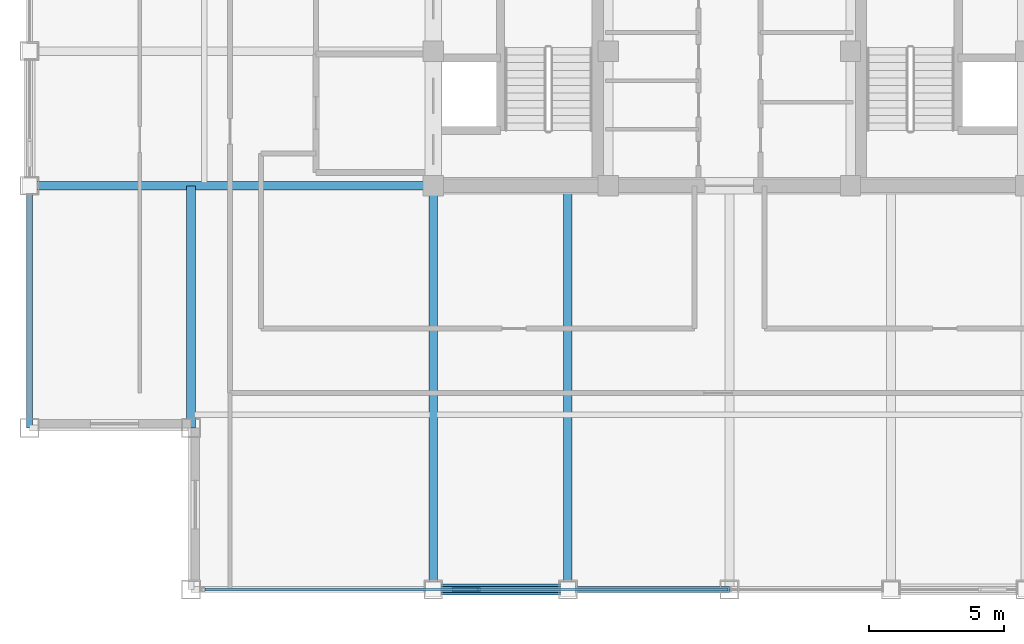
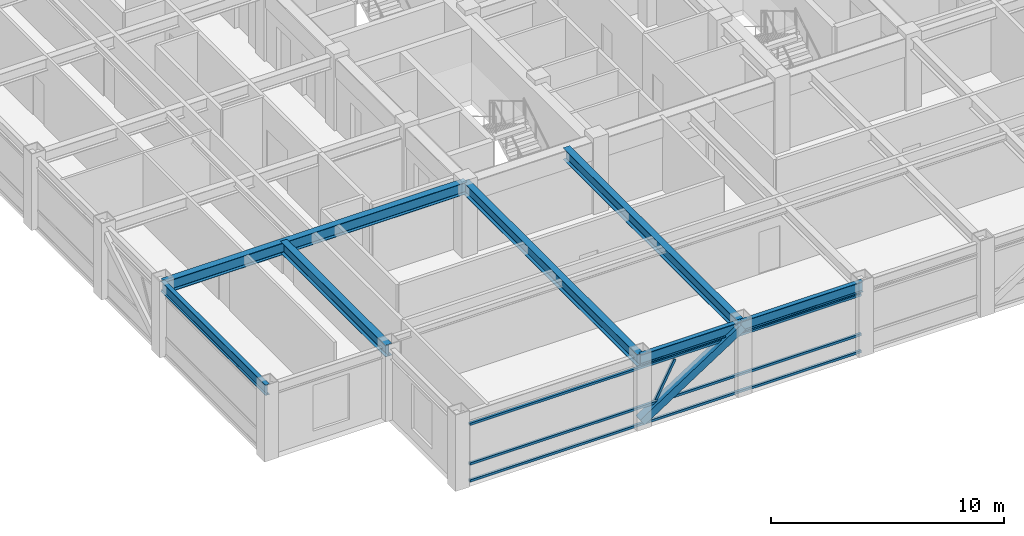
# One storey, part 3 of 29: 7 beams, 5 members, 1 element without a shape of its own.
"""IFC4 building model written with IfcOpenShell, lengths in metres."""

from ifc_helpers import new_model, si_unit, direction, frame, origin, origin_2d, place, context, subcontext, project, spatial, hollow_rectangle, i_section, extrude, source, transform, mapped, material, material_profile, profile_set, type_object, element, aggregate, save


model = new_model("IFC4")

# Units and contexts
model_context = context("Model", 3, precision=1e-05, world=origin(), true_north=direction((0.0, 1.0)))
body_context = subcontext(model_context, "Body", "Model", "MODEL_VIEW")
ifc_project = project(units=[si_unit("LENGTHUNIT", "METRE"), si_unit("AREAUNIT", "SQUARE_METRE"), si_unit("VOLUMEUNIT", "CUBIC_METRE"), si_unit("PLANEANGLEUNIT", "RADIAN"), si_unit("MASSUNIT", "GRAM", prefix="KILO")], contexts=[model_context])

# Site, building, storey
site_placement = place(None, origin())
site = spatial("IfcSite", under=ifc_project, at=site_placement, CompositionType="ELEMENT")
building_placement = place(site_placement, origin())
building = spatial("IfcBuilding", under=site, at=building_placement, Name="Khorayat Bourse Tower", CompositionType="ELEMENT")
storey_placement = place(building_placement, frame((0.0, 0.0, 362.300048828125)))
storey = spatial("IfcBuildingStorey", under=building, at=storey_placement, Name="L86", CompositionType="ELEMENT", Elevation=362.300048828125)

# Beams
ifc_material_1 = material(Name="Steel ASTM A992 Grade 50", Category="steel")
ifc_material_profile_1 = material_profile(ifc_material_1, i_section(OverallWidth=0.214111328125, OverallDepth=0.549072265625, WebThickness=0.0146484375, FlangeThickness=0.023681640625, FilletRadius=0.013916015625, at=origin_2d()), Name="W530X138")
ifc_profile_set_1 = profile_set([ifc_material_profile_1], Name="Steel ASTM A992 Grade 50")
beam_type_1 = type_object("IfcBeamType", Name="BM-SPAN-530", PredefinedType="SPANDREL", material=ifc_profile_set_1)
shared_shape_1 = source(origin(), body_context, "Body", "SweptSolid", [
    extrude(i_section(OverallWidth=0.214111328125, OverallDepth=0.549072265625, WebThickness=0.0146484375, FlangeThickness=0.023681640625, FilletRadius=0.013916015625, at=origin_2d()), origin(), (0.0, 0.0, 1.0), 9.0),
])
beam_1_placement = place(storey_placement, frame((-26.0, -20.0, 3.46533203125), z_axis=(0.0, 1.0, 0.0), x_axis=(-1.0, 0.0, 0.0)))
element("IfcBeam", 1, at=beam_1_placement, inside=storey, type_object=beam_type_1, Name="L86 BM-SPAN-530 BM-L86-SPN-053", PredefinedType="SPANDREL", context=body_context, shape_type="MappedRepresentation", body=[
    mapped(shared_shape_1, transform((0.0, 0.0, 0.0), scale=1.0)),
])
shared_shape_2 = source(origin(), body_context, "Body", "SweptSolid", [
    extrude(i_section(OverallWidth=0.214111328125, OverallDepth=0.549072265625, WebThickness=0.0146484375, FlangeThickness=0.023681640625, FilletRadius=0.013916015625, at=origin_2d()), origin(), (0.0, 0.0, 1.0), 5.0),
])
beam_2_placement = place(storey_placement, frame((-11.0, -26.0, 3.46533203125), z_axis=(1.0, 0.0, 0.0), x_axis=(0.0, 1.0, 0.0)))
element("IfcBeam", 2, at=beam_2_placement, inside=storey, type_object=beam_type_1, Name="L86 BM-SPAN-530 BM-L86-SPN-025", PredefinedType="SPANDREL", context=body_context, shape_type="MappedRepresentation", body=[
    mapped(shared_shape_2, transform((0.0, 0.0, 0.0), scale=1.0)),
])
shared_shape_3 = source(origin(), body_context, "Body", "SweptSolid", [
    extrude(i_section(OverallWidth=0.214111328125, OverallDepth=0.549072265625, WebThickness=0.0146484375, FlangeThickness=0.023681640625, FilletRadius=0.013916015625, at=origin_2d()), origin(), (0.0, 0.0, 1.0), 6.0),
])
beam_3_placement = place(storey_placement, frame((-6.0, -26.0, 3.46533203125), z_axis=(1.0, 0.0, 0.0), x_axis=(0.0, 1.0, 0.0)))
element("IfcBeam", 3, at=beam_3_placement, inside=storey, type_object=beam_type_1, Name="L86 BM-SPAN-530 BM-L86-SPN-026", PredefinedType="SPANDREL", context=body_context, shape_type="MappedRepresentation", body=[
    mapped(shared_shape_3, transform((0.0, 0.0, 0.0), scale=1.0)),
])
ifc_material_profile_2 = material_profile(ifc_material_1, i_section(OverallWidth=0.324951171875, OverallDepth=0.615966796875, WebThickness=0.013916015625, FlangeThickness=0.021484375, FilletRadius=0.01611328125, at=origin_2d()), Name="W610X174")
ifc_profile_set_2 = profile_set([ifc_material_profile_2], Name="Steel ASTM A992 Grade 50")
beam_type_2 = type_object("IfcBeamType", Name="BM-GIRD-610", PredefinedType="BEAM", material=ifc_profile_set_2)
shared_shape_4 = source(origin(), body_context, "Body", "SweptSolid", [
    extrude(i_section(OverallWidth=0.324951171875, OverallDepth=0.615966796875, WebThickness=0.013916015625, FlangeThickness=0.021484375, FilletRadius=0.01611328125, at=origin_2d()), origin(), (0.0, 0.0, 1.0), 15.0),
])
for number, where, z_axis, x_axis, name in (
    (4, (-11.0, -26.0, 3.431884765625), (0.0, 1.0, 0.0), (-1.0, 0.0, 0.0), "L86 BM-GIRD-610 BM-L86-RADY-057"),
    (5, (-6.0, -26.0, 3.431884765625), (0.0, 1.0, 0.0), (-1.0, 0.0, 0.0), "L86 BM-GIRD-610 BM-L86-RADY-059"),
    (6, (-26.0, -11.0, 3.431884765625), (1.0, 0.0, 0.0), (0.0, 1.0, 0.0), "L86 BM-GIRD-610 BM-L86-RADX-067"),
):
    element("IfcBeam", number, at=place(storey_placement, frame(where, z_axis=z_axis, x_axis=x_axis)), inside=storey, type_object=beam_type_2, Name=name, PredefinedType="BEAM", context=body_context, shape_type="MappedRepresentation", body=[
        mapped(shared_shape_4, transform((0.0, 0.0, 0.0), scale=1.0)),
    ])
shared_shape_5 = source(origin(), body_context, "Body", "SweptSolid", [
    extrude(i_section(OverallWidth=0.324951171875, OverallDepth=0.615966796875, WebThickness=0.013916015625, FlangeThickness=0.021484375, FilletRadius=0.01611328125, at=origin_2d()), origin(), (0.0, 0.0, 1.0), 9.0),
])
beam_4_placement = place(storey_placement, frame((-20.0, -20.0, 3.431884765625), z_axis=(0.0, 1.0, 0.0), x_axis=(-1.0, 0.0, 0.0)))
element("IfcBeam", 7, at=beam_4_placement, inside=storey, type_object=beam_type_2, Name="L86 BM-GIRD-610 BM-L86-CNRY-076", PredefinedType="BEAM", context=body_context, shape_type="MappedRepresentation", body=[
    mapped(shared_shape_5, transform((0.0, 0.0, 0.0), scale=1.0)),
])

# Member
ifc_material_2 = material(Name="Steel EN 10025-4 S460M", Category="steel")
ifc_material_profile_3 = material_profile(ifc_material_2, hollow_rectangle(XDim=0.39990234375, YDim=0.39990234375, WallThickness=0.02197265625, at=origin_2d()), Name="HSS 400x400x22")
ifc_profile_set_3 = profile_set([ifc_material_profile_3], Name="Steel EN 10025-4 S460M")
member_type_1 = type_object("IfcMemberType", Name="MBR-TUBE-400", PredefinedType="BRACE", material=ifc_profile_set_3)
shared_shape_6 = source(origin(), body_context, "Body", "SweptSolid", [
    extrude(hollow_rectangle(XDim=0.39990234375, YDim=0.39990234375, WallThickness=0.02197265625, at=origin_2d()), origin(), (0.0, 0.0, 1.0), 5.9580078125),
])
member_1_placement = place(storey_placement, frame((-11.0, -26.0, 0.25), z_axis=(0.839210474455, 0.0, 0.543806748364), x_axis=(0.0, 1.0, 0.0)))
element("IfcMember", 8, at=member_1_placement, inside=storey, type_object=member_type_1, Name="L86 Perimeter Tube Brace 01", PredefinedType="BRACE", context=body_context, shape_type="MappedRepresentation", body=[
    mapped(shared_shape_6, transform((0.0, 0.0, 0.0), scale=1.0)),
])

# Curtain wall, members
ifc_material_3 = material(Name="Aluminium EN AW-6063 T6", Category="aluminium")
curtain_wall_type = type_object("IfcCurtainWallType", Name="CW-SYS-04", PredefinedType="NOTDEFINED", material=ifc_material_3)
curtain_wall_placement = place(storey_placement, origin())
curtain_wall = element("IfcCurtainWall", 9, at=curtain_wall_placement, inside=storey, type_object=curtain_wall_type, Name="L86 Curtain Wall CW-L86-S1", PredefinedType="NOTDEFINED")
ifc_material_profile_4 = material_profile(ifc_material_3, hollow_rectangle(XDim=0.1201171875, YDim=0.1201171875, WallThickness=0.0048828125, at=origin_2d()), Name="ALU 120x120x5")
ifc_profile_set_4 = profile_set([ifc_material_profile_4], Name="Aluminium EN AW-6063 T6")
member_type_2 = type_object("IfcMemberType", Name="CWM-DIAG-120", PredefinedType="MULLION", material=ifc_profile_set_4)
shared_shape_7 = source(origin(), body_context, "Body", "SweptSolid", [
    extrude(hollow_rectangle(XDim=0.1201171875, YDim=0.1201171875, WallThickness=0.0048828125, at=origin_2d()), origin(), (0.0, 0.0, 1.0), 2.0341796875),
])
member_2_placement = place(storey_placement, frame((-10.24365234375, -26.0, 1.08984375), z_axis=(0.465696964104, 0.0, 0.884944256789), x_axis=(0.0, 1.0, 0.0)))
member_2 = element("IfcMember", 10, at=member_2_placement, type_object=member_type_2, Name="CW-L86-S1 Faceted Diagonal Mullion 1", PredefinedType="MULLION", context=body_context, shape_type="MappedRepresentation", body=[
    mapped(shared_shape_7, transform((0.0, 0.0, 0.0), scale=1.0)),
])
ifc_material_profile_5 = material_profile(ifc_material_3, hollow_rectangle(XDim=0.1201171875, YDim=0.1201171875, WallThickness=0.0048828125, at=origin_2d()), Name="ALU 120x120x5")
ifc_profile_set_5 = profile_set([ifc_material_profile_5], Name="Aluminium EN AW-6063 T6")
member_type_3 = type_object("IfcMemberType", Name="CWT-HORZ-120", PredefinedType="USERDEFINED", material=ifc_profile_set_5)
shared_shape_8 = source(origin(), body_context, "Body", "SweptSolid", [
    extrude(hollow_rectangle(XDim=0.1201171875, YDim=0.1201171875, WallThickness=0.0048828125, at=origin_2d()), origin(), (0.0, 0.0, 1.0), 19.419921875),
])
member_3_placement = place(storey_placement, frame((-19.47998046875, -26.0, 0.06005859375), z_axis=(1.0, 0.0, 0.0), x_axis=(0.0, 1.0, 0.0)))
member_3 = element("IfcMember", 11, at=member_3_placement, type_object=member_type_3, Name="CW-L86-S1 Horizontal Transom 1-1", ObjectType="TRANSOM", PredefinedType="USERDEFINED", context=body_context, shape_type="MappedRepresentation", body=[
    mapped(shared_shape_8, transform((0.0, 0.0, 0.0), scale=1.0)),
])
member_4_placement = place(storey_placement, frame((-19.47998046875, -26.0, 0.949951171875), z_axis=(1.0, 0.0, 0.0), x_axis=(0.0, 1.0, 0.0)))
member_4 = element("IfcMember", 12, at=member_4_placement, type_object=member_type_3, Name="CW-L86-S1 Horizontal Transom 1-2", ObjectType="TRANSOM", PredefinedType="USERDEFINED", context=body_context, shape_type="MappedRepresentation", body=[
    mapped(shared_shape_8, transform((0.0, 0.0, 0.0), scale=1.0)),
])
member_5_placement = place(storey_placement, frame((-19.47998046875, -26.0, 3.030029296875), z_axis=(1.0, 0.0, 0.0), x_axis=(0.0, 1.0, 0.0)))
member_5 = element("IfcMember", 13, at=member_5_placement, type_object=member_type_3, Name="CW-L86-S1 Horizontal Transom 1-3", ObjectType="TRANSOM", PredefinedType="USERDEFINED", context=body_context, shape_type="MappedRepresentation", body=[
    mapped(shared_shape_8, transform((0.0, 0.0, 0.0), scale=1.0)),
])
aggregate(curtain_wall, [member_3, member_4, member_5, member_2])

save(model, "model.ifc")
